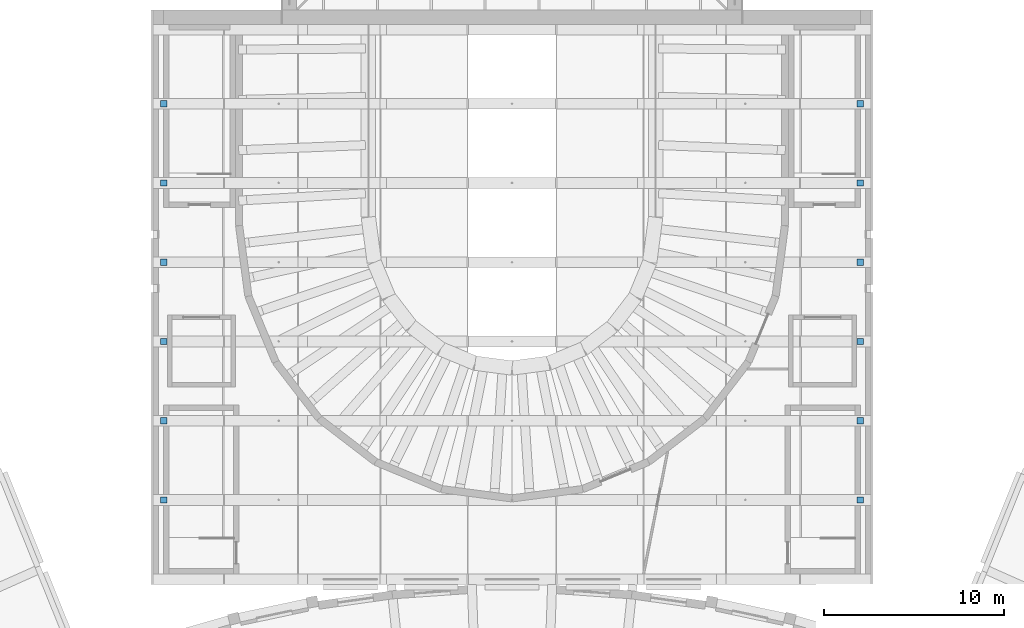
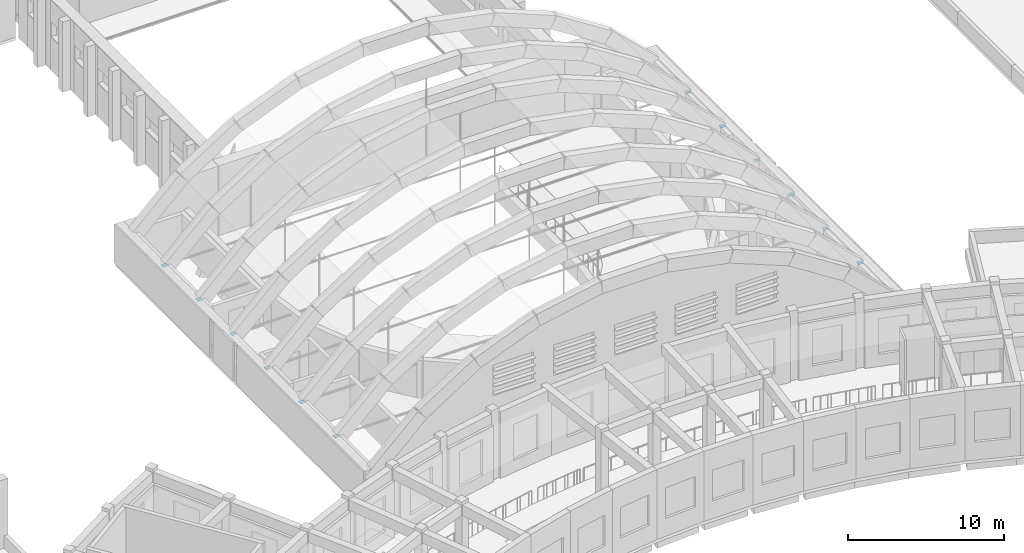
# One storey, part 77 of 94: 12 discrete accessories.
"""IFC4 building model written with IfcOpenShell, lengths in metres."""

from ifc_helpers import new_model, si_unit, direction, frame, origin, origin_2d, place, context, subcontext, project, spatial, rectangle, extrude, material, layer, layer_set, type_object, element, save


model = new_model("IFC4")

# Units and contexts
model_context = context("Model", 3, precision=1e-05, world=origin(), true_north=direction((0.0, 1.0)))
body_context = subcontext(model_context, "Body", "Model", "MODEL_VIEW")
ifc_project = project(units=[si_unit("LENGTHUNIT", "METRE"), si_unit("AREAUNIT", "SQUARE_METRE"), si_unit("VOLUMEUNIT", "CUBIC_METRE"), si_unit("PLANEANGLEUNIT", "RADIAN"), si_unit("MASSUNIT", "GRAM", prefix="KILO")], contexts=[model_context])

# Site, building, storey
site_placement = place(None, origin())
site = spatial("IfcSite", under=ifc_project, at=site_placement, CompositionType="ELEMENT")
building_placement = place(site_placement, origin())
building = spatial("IfcBuilding", under=site, at=building_placement, Name="Lunette Opera House", CompositionType="ELEMENT")
storey_placement = place(building_placement, frame((0.0, 0.0, 22.5)))
storey = spatial("IfcBuildingStorey", under=building, at=storey_placement, Name="L04", CompositionType="ELEMENT", Elevation=22.5)

# Discrete accessories
ifc_material = material(Name="Steel S355", Category="steel")
ifc_layer = layer(ifc_material, 0.011962890625)
ifc_layer_set = layer_set([ifc_layer], Name="Steel S355")
discrete_accessory_type = type_object("IfcDiscreteAccessoryType", Name="BRACE GUSSET PLATE 12", PredefinedType="USERDEFINED", material=ifc_layer_set)
for number, where, z_axis, x_axis, name in (
    (1, (76.60009765625, 68.714111328125, 2.69384765625), (0.0, 0.0, 1.0), (1.0, 0.0, 0.0), "Gusset plate 1"),
    (2, (115.39990234375, 68.714111328125, 2.69384765625), (0.0, 0.0, 1.0), (1.0, 0.0, 0.0), "Gusset plate 2"),
    (3, (76.60009765625, 73.12890625, 2.69384765625), (0.0, 0.0, 1.0), (1.0, 0.0, 0.0), "Gusset plate 3"),
    (4, (115.39990234375, 73.12890625, 2.69384765625), (0.0, 0.0, 1.0), (1.0, 0.0, 0.0), "Gusset plate 4"),
    (5, (76.60009765625, 77.54296875, 2.69384765625), (0.0, 0.0, 1.0), (1.0, 0.0, 0.0), "Gusset plate 5"),
    (6, (115.39990234375, 77.54296875, 2.69384765625), (0.0, 0.0, 1.0), (1.0, 0.0, 0.0), "Gusset plate 6"),
    (7, (76.60009765625, 81.95703125, 2.69384765625), (0.0, 0.0, 1.0), (1.0, 0.0, 0.0), "Gusset plate 7"),
    (8, (115.39990234375, 81.95703125, 2.69384765625), (0.0, 0.0, 1.0), (1.0, 0.0, 0.0), "Gusset plate 8"),
    (9, (76.60009765625, 86.37109375, 2.69384765625), (0.0, 0.0, 1.0), (1.0, 0.0, 0.0), "Gusset plate 9"),
    (10, (115.39990234375, 86.37109375, 2.69384765625), (0.0, 0.0, 1.0), (1.0, 0.0, 0.0), "Gusset plate 10"),
    (11, (76.60009765625, 90.785888671875, 2.69384765625), (0.0, 0.0, 1.0), (1.0, 0.0, 0.0), "Gusset plate 11"),
    (12, (115.39990234375, 90.785888671875, 2.69384765625), (0.0, 0.0, 1.0), (1.0, 0.0, 0.0), "Gusset plate 12"),
):
    element("IfcDiscreteAccessory", number, at=place(storey_placement, frame(where, z_axis=z_axis, x_axis=x_axis)), inside=storey, type_object=discrete_accessory_type, Name=name, ObjectType="GUSSET PLATE", PredefinedType="USERDEFINED", context=body_context, shape_type="SweptSolid", body=[
        extrude(rectangle(XDim=0.35009765625, YDim=0.35009765625, at=origin_2d()), origin(), (0.0, 0.0, 1.0), 0.011962890625),
    ])

save(model, "model.ifc")
